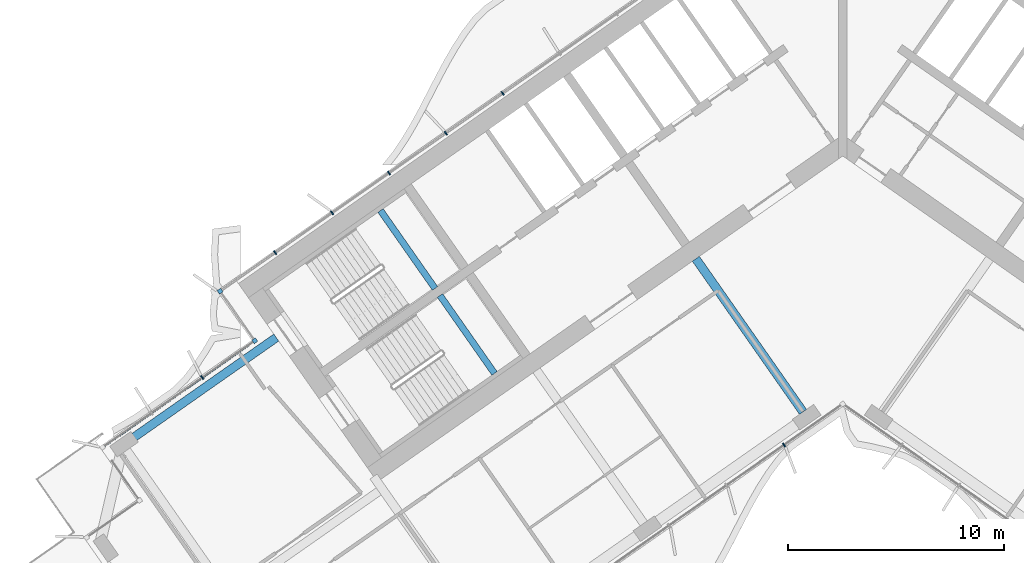
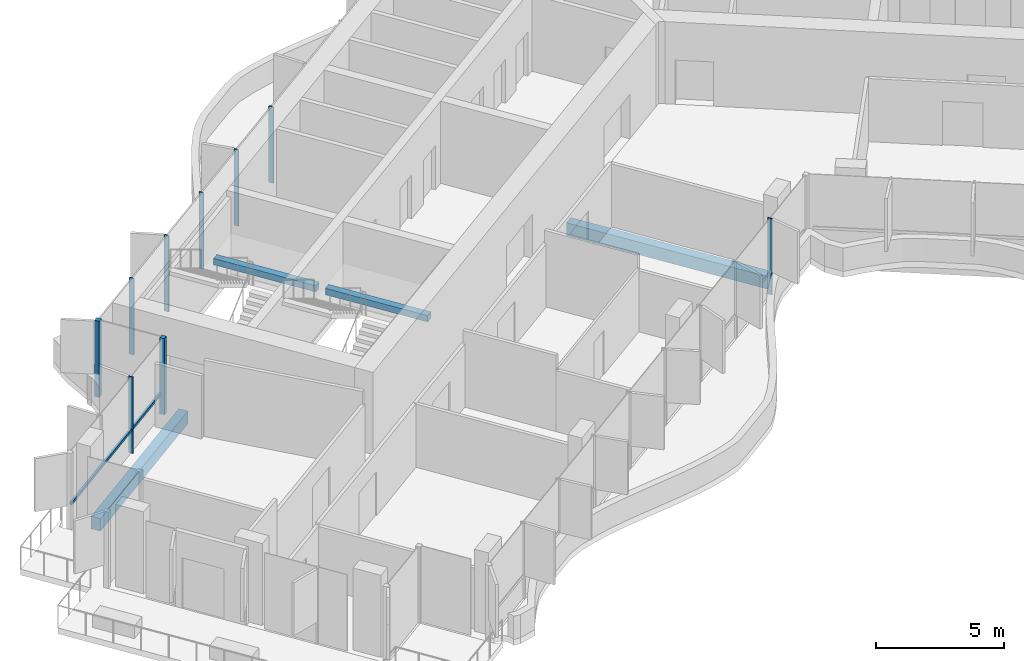
# One storey, part 4 of 22: 10 members, 4 beams, 3 elements without a shape of their own.
"""IFC4 building model written with IfcOpenShell, lengths in metres."""

from ifc_helpers import new_model, si_unit, direction, frame, origin, origin_2d, place, context, subcontext, project, spatial, rectangle, extrude, material, material_profile, profile_set, type_object, element, aggregate, save


model = new_model("IFC4")

# Units and contexts
model_context = context("Model", 3, precision=1e-05, world=origin(), true_north=direction((0.0, 1.0)))
body_context = subcontext(model_context, "Body", "Model", "MODEL_VIEW")
ifc_project = project(units=[si_unit("LENGTHUNIT", "METRE"), si_unit("AREAUNIT", "SQUARE_METRE"), si_unit("VOLUMEUNIT", "CUBIC_METRE"), si_unit("PLANEANGLEUNIT", "RADIAN"), si_unit("MASSUNIT", "GRAM", prefix="KILO")], contexts=[model_context])

# Site, building, storey
site_placement = place(None, origin())
site = spatial("IfcSite", under=ifc_project, at=site_placement, CompositionType="ELEMENT")
building_placement = place(site_placement, origin())
building = spatial("IfcBuilding", under=site, at=building_placement, Name="Tel Ilan Convention Tower", CompositionType="ELEMENT")
storey_placement = place(building_placement, frame((0.0, 0.0, 202.199951171875)))
storey = spatial("IfcBuildingStorey", under=building, at=storey_placement, Name="L47", CompositionType="ELEMENT", Elevation=202.199951171875)

# Beams
ifc_material_1 = material(Name="Concrete C40/50", Category="concrete")
ifc_material_profile_1 = material_profile(ifc_material_1, rectangle(XDim=0.39990234375, YDim=0.60009765625, at=origin_2d()), Name="RC 400x600")
ifc_profile_set_1 = profile_set([ifc_material_profile_1], Name="Concrete C40/50")
beam_type_1 = type_object("IfcBeamType", Name="Beam RC 400x600 Concrete C40/50", PredefinedType="BEAM", material=ifc_profile_set_1)
beam_1_placement = place(storey_placement, frame((-32.82421875, -14.25537109375, -0.579833984375), z_axis=(0.819140886463, 0.573592371048, 0.0), x_axis=(-0.573592371048, 0.819140886463, 0.0)))
element("IfcBeam", 1, at=beam_1_placement, inside=storey, type_object=beam_type_1, Name="L47 beam W-W-BC-core", PredefinedType="BEAM", context=body_context, shape_type="SweptSolid", body=[
    extrude(rectangle(XDim=0.39990234375, YDim=0.60009765625, at=origin_2d()), origin(), (0.0, 0.0, 1.0), 8.064453125),
])
beam_2_placement = place(storey_placement, frame((-1.83740234375, -13.06689453125, -0.579833984375), z_axis=(-0.573574099654, 0.819153680457, 0.0), x_axis=(-0.819153680457, -0.573574099654, 0.0)))
element("IfcBeam", 2, at=beam_2_placement, inside=storey, type_object=beam_type_1, Name="L47 beam W-W-F1-core", PredefinedType="BEAM", context=body_context, shape_type="SweptSolid", body=[
    extrude(rectangle(XDim=0.39990234375, YDim=0.60009765625, at=origin_2d()), origin(), (0.0, 0.0, 1.0), 8.64990234375),
])

# Curtain wall, members
ifc_material_2 = material(Name="Aluminium, bronze anodised", Category="aluminium")
curtain_wall_type_1 = type_object("IfcCurtainWallType", Name="CW2 STICK CURTAIN WALL, SPANDREL PANELS", PredefinedType="NOTDEFINED", material=ifc_material_2)
curtain_wall_1_placement = place(storey_placement, origin())
curtain_wall_1 = element("IfcCurtainWall", 3, at=curtain_wall_1_placement, inside=storey, type_object=curtain_wall_type_1, Name="Curtain wall CW2-37.01", PredefinedType="NOTDEFINED")
ifc_material_3 = material(Name="Aluminium, bronze anodised", Category="aluminium")
ifc_material_profile_2 = material_profile(ifc_material_3, rectangle(XDim=0.199951171875, YDim=0.199951171875, at=origin_2d()), Name="CW CORNER MULLION 200x200")
ifc_profile_set_2 = profile_set([ifc_material_profile_2], Name="Aluminium, bronze anodised")
member_type_1 = type_object("IfcMemberType", Name="CW CORNER MULLION 200x200", PredefinedType="MULLION", material=ifc_profile_set_2)
member_1_placement = place(storey_placement, frame((-28.819580078125, -7.483642578125, 0.0), z_axis=(0.0, 0.0, 1.0), x_axis=(-0.819152044289, -0.573576436351, 0.0)))
member_1 = element("IfcMember", 4, at=member_1_placement, type_object=member_type_1, Name="Corner mullion", PredefinedType="MULLION", context=body_context, shape_type="SweptSolid", body=[
    extrude(rectangle(XDim=0.199951171875, YDim=0.199951171875, at=origin_2d()), origin(), (0.0, 0.0, 1.0), 3.6201171875),
])
member_2_placement = place(storey_placement, frame((-27.213623046875, -9.77734375, 0.0), z_axis=(0.0, 0.0, 1.0), x_axis=(0.573576436351, -0.819152044289, 0.0)))
member_2 = element("IfcMember", 5, at=member_2_placement, type_object=member_type_1, Name="Corner mullion", PredefinedType="MULLION", context=body_context, shape_type="SweptSolid", body=[
    extrude(rectangle(XDim=0.199951171875, YDim=0.199951171875, at=origin_2d()), origin(), (0.0, 0.0, 1.0), 3.6201171875),
])
ifc_material_4 = material(Name="Aluminium, bronze anodised", Category="aluminium")
ifc_material_profile_3 = material_profile(ifc_material_4, rectangle(XDim=0.06005859375, YDim=0.199951171875, at=origin_2d()), Name="CW MULLION 60x200")
ifc_profile_set_3 = profile_set([ifc_material_profile_3], Name="Aluminium, bronze anodised")
member_type_2 = type_object("IfcMemberType", Name="CW MULLION 60x200", PredefinedType="MULLION", material=ifc_profile_set_3)
member_3_placement = place(storey_placement, frame((-15.73828125, 1.676025390625, 0.0), z_axis=(0.0, 0.0, 1.0), x_axis=(-0.819152044289, -0.573576436351, 0.0)))
member_3 = element("IfcMember", 6, at=member_3_placement, type_object=member_type_2, Name="Mullion", PredefinedType="MULLION", context=body_context, shape_type="SweptSolid", body=[
    extrude(rectangle(XDim=0.06005859375, YDim=0.199951171875, at=origin_2d()), origin(), (0.0, 0.0, 1.0), 3.6201171875),
])
member_4_placement = place(storey_placement, frame((-18.37109375, -0.16748046875, 0.0), z_axis=(0.0, 0.0, 1.0), x_axis=(-0.819152044289, -0.573576436351, 0.0)))
member_4 = element("IfcMember", 7, at=member_4_placement, type_object=member_type_2, Name="Mullion", PredefinedType="MULLION", context=body_context, shape_type="SweptSolid", body=[
    extrude(rectangle(XDim=0.06005859375, YDim=0.199951171875, at=origin_2d()), origin(), (0.0, 0.0, 1.0), 3.6201171875),
])
member_5_placement = place(storey_placement, frame((-21.003662109375, -2.0107421875, 0.0), z_axis=(0.0, 0.0, 1.0), x_axis=(-0.819152044289, -0.573576436351, 0.0)))
member_5 = element("IfcMember", 8, at=member_5_placement, type_object=member_type_2, Name="Mullion", PredefinedType="MULLION", context=body_context, shape_type="SweptSolid", body=[
    extrude(rectangle(XDim=0.06005859375, YDim=0.199951171875, at=origin_2d()), origin(), (0.0, 0.0, 1.0), 3.6201171875),
])
member_6_placement = place(storey_placement, frame((-23.63623046875, -3.854248046875, 0.0), z_axis=(0.0, 0.0, 1.0), x_axis=(-0.819152044289, -0.573576436351, 0.0)))
member_6 = element("IfcMember", 9, at=member_6_placement, type_object=member_type_2, Name="Mullion", PredefinedType="MULLION", context=body_context, shape_type="SweptSolid", body=[
    extrude(rectangle(XDim=0.06005859375, YDim=0.199951171875, at=origin_2d()), origin(), (0.0, 0.0, 1.0), 3.6201171875),
])
member_7_placement = place(storey_placement, frame((-26.268798828125, -5.697509765625, 0.0), z_axis=(0.0, 0.0, 1.0), x_axis=(-0.819152044289, -0.573576436351, 0.0)))
member_7 = element("IfcMember", 10, at=member_7_placement, type_object=member_type_2, Name="Mullion", PredefinedType="MULLION", context=body_context, shape_type="SweptSolid", body=[
    extrude(rectangle(XDim=0.06005859375, YDim=0.199951171875, at=origin_2d()), origin(), (0.0, 0.0, 1.0), 3.6201171875),
])
aggregate(curtain_wall_1, [member_3, member_4, member_5, member_6, member_7, member_1, member_2])

# Curtain wall, member
ifc_material_5 = material(Name="Aluminium, bronze anodised", Category="aluminium")
curtain_wall_type_2 = type_object("IfcCurtainWallType", Name="CW4 STICK CURTAIN WALL, OFFICE TINTED GLASS", PredefinedType="NOTDEFINED", material=ifc_material_5)
curtain_wall_2_placement = place(storey_placement, origin())
curtain_wall_2 = element("IfcCurtainWall", 11, at=curtain_wall_2_placement, inside=storey, type_object=curtain_wall_type_2, Name="Curtain wall CW4-37.02", PredefinedType="NOTDEFINED")
member_8_placement = place(storey_placement, frame((-29.6435546875, -11.478759765625, 0.0), z_axis=(0.0, 0.0, 1.0), x_axis=(-0.819152044289, -0.573576436351, 0.0)))
member_8 = element("IfcMember", 12, at=member_8_placement, type_object=member_type_2, Name="Mullion", PredefinedType="MULLION", context=body_context, shape_type="SweptSolid", body=[
    extrude(rectangle(XDim=0.06005859375, YDim=0.199951171875, at=origin_2d()), origin(), (0.0, 0.0, 1.0), 3.6201171875),
])

curtain_wall_3_placement = place(storey_placement, origin())
curtain_wall_3 = element("IfcCurtainWall", 13, at=curtain_wall_3_placement, inside=storey, type_object=curtain_wall_type_2, Name="Curtain wall CW4-37.04", PredefinedType="NOTDEFINED")
member_9_placement = place(storey_placement, frame((-2.719482421875, -14.60009765625, 0.0), z_axis=(0.0, 0.0, 1.0), x_axis=(0.819152044289, 0.573576436351, 0.0)))
member_9 = element("IfcMember", 14, at=member_9_placement, type_object=member_type_2, Name="Mullion", PredefinedType="MULLION", context=body_context, shape_type="SweptSolid", body=[
    extrude(rectangle(XDim=0.06005859375, YDim=0.199951171875, at=origin_2d()), origin(), (0.0, 0.0, 1.0), 3.6201171875),
])
aggregate(curtain_wall_3, [member_9])

# Member
ifc_material_6 = material(Name="Aluminium, bronze anodised", Category="aluminium")
ifc_material_profile_4 = material_profile(ifc_material_6, rectangle(XDim=0.10009765625, YDim=0.1201171875, at=origin_2d()), Name="CW TRANSOM 100x120")
ifc_profile_set_4 = profile_set([ifc_material_profile_4], Name="Aluminium, bronze anodised")
member_type_3 = type_object("IfcMemberType", Name="CW TRANSOM 100x120", PredefinedType="USERDEFINED", material=ifc_profile_set_4)
member_10_placement = place(storey_placement, frame((-27.459228515625, -9.94921875, 1.10009765625), z_axis=(-0.819149386388, -0.573580232209, 0.0), x_axis=(0.573580232209, -0.819149386388, 0.0)))
member_10 = element("IfcMember", 15, at=member_10_placement, type_object=member_type_3, Name="Transom", ObjectType="TRANSOM", PredefinedType="USERDEFINED", context=body_context, shape_type="SweptSolid", body=[
    extrude(rectangle(XDim=0.10009765625, YDim=0.1201171875, at=origin_2d()), origin(), (0.0, 0.0, 1.0), 8.199951171875),
])

aggregate(curtain_wall_2, [member_8, member_10])

# Beams
ifc_material_7 = material(Name="Concrete C40/50", Category="concrete")
ifc_material_profile_5 = material_profile(ifc_material_7, rectangle(XDim=0.300048828125, YDim=0.300048828125, at=origin_2d()), Name="RC 300x300")
ifc_profile_set_5 = profile_set([ifc_material_profile_5], Name="Concrete C40/50")
beam_type_2 = type_object("IfcBeamType", Name="Landing Beam RC 300x300 Concrete C40/50", PredefinedType="BEAM", material=ifc_profile_set_5)
beam_3_placement = place(storey_placement, frame((-18.870361328125, -7.353515625, 1.60009765625), z_axis=(-0.57354426506, 0.819174569928, 0.0), x_axis=(-0.819174569928, -0.57354426506, 0.0)))
element("IfcBeam", 16, at=beam_3_placement, inside=storey, type_object=beam_type_2, Name="S1 landing beam L47.1", PredefinedType="BEAM", context=body_context, shape_type="SweptSolid", body=[
    extrude(rectangle(XDim=0.300048828125, YDim=0.300048828125, at=origin_2d()), origin(), (0.0, 0.0, 1.0), 4.400146484375),
])
beam_4_placement = place(storey_placement, frame((-16.1171875, -11.285400390625, 1.60009765625), z_axis=(-0.573570334442, 0.819156316858, 0.0), x_axis=(-0.819156316858, -0.573570334442, 0.0)))
element("IfcBeam", 17, at=beam_4_placement, inside=storey, type_object=beam_type_2, Name="S2 landing beam L47.1", PredefinedType="BEAM", context=body_context, shape_type="SweptSolid", body=[
    extrude(rectangle(XDim=0.300048828125, YDim=0.300048828125, at=origin_2d()), origin(), (0.0, 0.0, 1.0), 4.39990234375),
])

save(model, "model.ifc")
